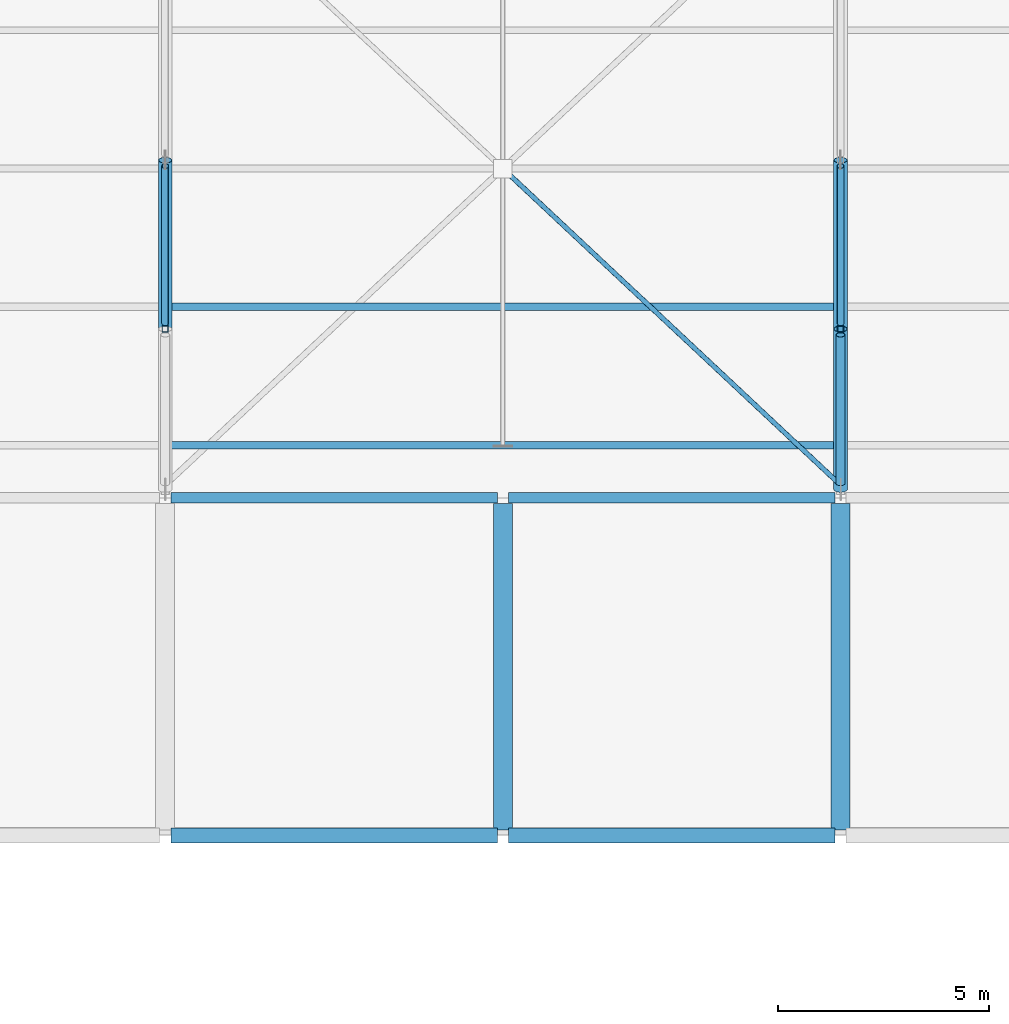
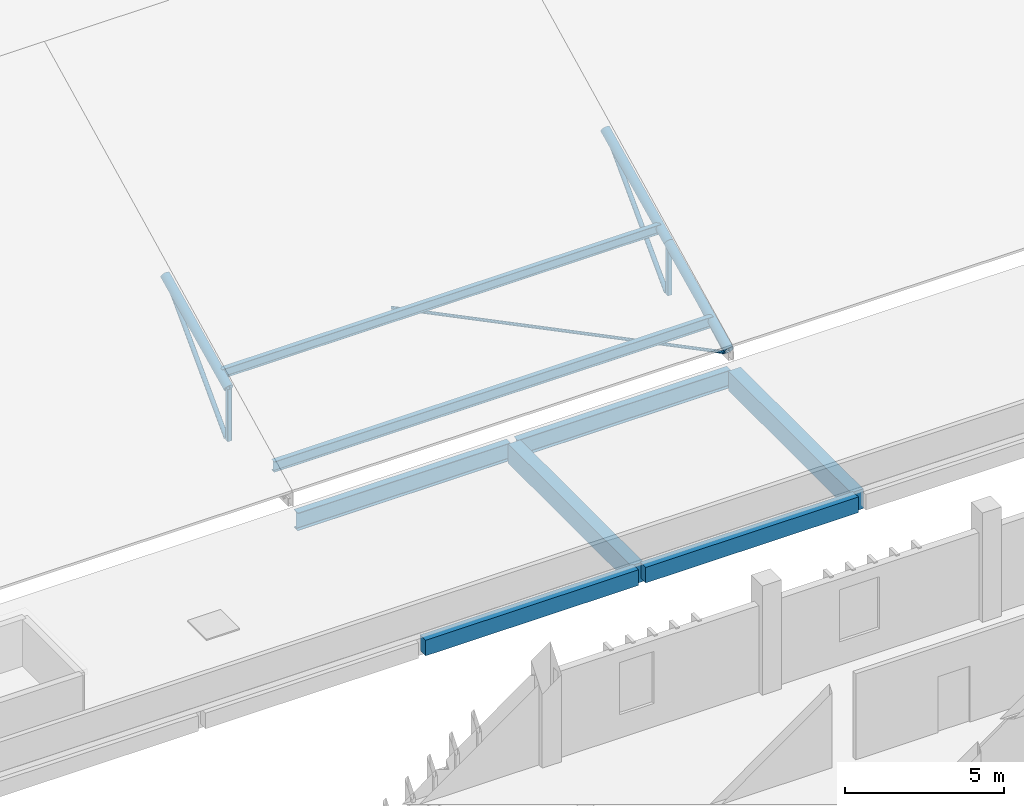
# One storey, part 38 of 137: 9 members, 8 beams.
"""IFC4 building model written with IfcOpenShell, lengths in metres."""

from ifc_helpers import new_model, si_unit, direction, frame, origin, origin_2d, place, context, subcontext, project, spatial, rectangle, hollow_rectangle, hollow_circle, i_section, extrude, material, material_profile, profile_set, type_object, element, save


model = new_model("IFC4")

# Units and contexts
model_context = context("Model", 3, precision=1e-05, world=origin(), true_north=direction((0.0, 1.0)))
body_context = subcontext(model_context, "Body", "Model", "MODEL_VIEW")
ifc_project = project(units=[si_unit("LENGTHUNIT", "METRE"), si_unit("AREAUNIT", "SQUARE_METRE"), si_unit("VOLUMEUNIT", "CUBIC_METRE"), si_unit("PLANEANGLEUNIT", "RADIAN"), si_unit("MASSUNIT", "GRAM", prefix="KILO")], contexts=[model_context])

# Site, building, storey
site_placement = place(None, origin())
site = spatial("IfcSite", under=ifc_project, at=site_placement, CompositionType="ELEMENT")
building_placement = place(site_placement, origin())
building = spatial("IfcBuilding", under=site, at=building_placement, Name="Jelvoka-Kovrelna Polytechnic", CompositionType="ELEMENT")
storey_placement = place(building_placement, frame((0.0, 0.0, 9.60009765625)))
storey = spatial("IfcBuildingStorey", under=building, at=storey_placement, Name="L03", CompositionType="ELEMENT", Elevation=9.60009765625)

# Beams
ifc_material_1 = material(Name="Concrete C40/50", Category="concrete")
ifc_material_profile_1 = material_profile(ifc_material_1, rectangle(XDim=0.449951171875, YDim=0.75, at=origin_2d()), Name="RC 450x750")
ifc_profile_set_1 = profile_set([ifc_material_profile_1], Name="Concrete C40/50")
beam_type_1 = type_object("IfcBeamType", Name="Beam_RC_450x750", PredefinedType="BEAM", material=ifc_profile_set_1)
for number, where, z_axis, x_axis, name in (
    (1, (128.0, 80.1337890625, -0.585205078125), (0.0, 1.0, 0.0), (-1.0, 0.0, 0.0), "L03 beam 2091"),
    (2, (136.0, 80.1337890625, -0.585205078125), (0.0, 1.0, 0.0), (-1.0, 0.0, 0.0), "L03 beam 2092"),
):
    element("IfcBeam", number, at=place(storey_placement, frame(where, z_axis=z_axis, x_axis=x_axis)), inside=storey, type_object=beam_type_1, Name=name, PredefinedType="BEAM", context=body_context, shape_type="SweptSolid", body=[
        extrude(rectangle(XDim=0.449951171875, YDim=0.75, at=origin_2d()), origin(), (0.0, 0.0, 1.0), 7.732421875),
    ])
ifc_material_2 = material(Name="Structural steel S355JR", Category="steel")
ifc_material_profile_2 = material_profile(ifc_material_2, i_section(OverallWidth=0.2529296875, OverallDepth=0.677978515625, WebThickness=0.01171875, FlangeThickness=0.01611328125, FilletRadius=0.01513671875, at=origin_2d()), Name="686x254x125 UB")
ifc_profile_set_2 = profile_set([ifc_material_profile_2], Name="Structural steel S355JR")
beam_type_2 = type_object("IfcBeamType", Name="Girder_Steel_UB686", PredefinedType="BEAM", material=ifc_profile_set_2)
beam_1_placement = place(storey_placement, frame((120.132568359375, 88.0, -0.549072265625), z_axis=(1.0, 0.0, 0.0), x_axis=(0.0, 1.0, 0.0)))
element("IfcBeam", 3, at=beam_1_placement, inside=storey, type_object=beam_type_2, Name="L03 beam 0097", PredefinedType="BEAM", context=body_context, shape_type="SweptSolid", body=[
    extrude(i_section(OverallWidth=0.2529296875, OverallDepth=0.677978515625, WebThickness=0.01171875, FlangeThickness=0.01611328125, FilletRadius=0.01513671875, at=origin_2d()), origin(), (0.0, 0.0, 1.0), 7.73486328125),
])
beam_2_placement = place(storey_placement, frame((128.1328125, 88.0, -0.549072265625), z_axis=(1.0, 0.0, 0.0), x_axis=(0.0, 1.0, 0.0)))
element("IfcBeam", 4, at=beam_2_placement, inside=storey, type_object=beam_type_2, Name="L03 beam 0099", PredefinedType="BEAM", context=body_context, shape_type="SweptSolid", body=[
    extrude(i_section(OverallWidth=0.2529296875, OverallDepth=0.677978515625, WebThickness=0.01171875, FlangeThickness=0.01611328125, FilletRadius=0.01513671875, at=origin_2d()), origin(), (0.0, 0.0, 1.0), 7.734375),
])

# Members
ifc_material_3 = material(Name="Structural steel S355J2H", Category="steel")
ifc_material_profile_3 = material_profile(ifc_material_3, hollow_circle(Radius=0.05712890625, WallThickness=0.00634765625, at=origin_2d()), Name="114.3x6.3 CHS")
ifc_profile_set_3 = profile_set([ifc_material_profile_3], Name="Structural steel S355J2H")
member_type_1 = type_object("IfcMemberType", Name="Member_Brace_CHS114", PredefinedType="BRACE", material=ifc_profile_set_3)
member_1_placement = place(storey_placement, frame((128.065673828125, 95.738525390625, 0.14990234375), z_axis=(0.729679522085, -0.683789291412, 0.0), x_axis=(0.683789291412, 0.729679522085, 0.0)))
element("IfcMember", 5, at=member_1_placement, inside=storey, type_object=member_type_1, Name="Sawtooth roof split X-brace half-diagonal 0211B", PredefinedType="BRACE", context=body_context, shape_type="SweptSolid", body=[
    extrude(hollow_circle(Radius=0.05712890625, WallThickness=0.00634765625, at=origin_2d()), origin(), (0.0, 0.0, 1.0), 10.80517578125),
])
ifc_material_4 = material(Name="Structural steel S355J2H", Category="steel")
ifc_material_profile_4 = material_profile(ifc_material_4, hollow_circle(Radius=0.084228515625, WallThickness=0.008056640625, at=origin_2d()), Name="168.3x8.0 CHS")
ifc_profile_set_4 = profile_set([ifc_material_profile_4], Name="Structural steel S355J2H")
member_type_2 = type_object("IfcMemberType", Name="Member_Brace_CHS168", PredefinedType="BRACE", material=ifc_profile_set_4)
for number, where, z_axis, x_axis, name in (
    (6, (120.0, 92.139892578125, 0.14990234375), (0.0, 0.69521468222, 0.718802160282), (-1.0, 0.0, 0.0), "Sawtooth truss 3 diagonal web 1.2"),
    (7, (136.0, 92.139892578125, 0.14990234375), (0.0, 0.69521468222, 0.718802160282), (-1.0, 0.0, 0.0), "Sawtooth truss 4 diagonal web 1.2"),
):
    element("IfcMember", number, at=place(storey_placement, frame(where, z_axis=z_axis, x_axis=x_axis)), inside=storey, type_object=member_type_2, Name=name, PredefinedType="BRACE", context=body_context, shape_type="SweptSolid", body=[
        extrude(hollow_circle(Radius=0.084228515625, WallThickness=0.008056640625, at=origin_2d()), origin(), (0.0, 0.0, 1.0), 5.35107421875),
    ])
ifc_material_5 = material(Name="Structural steel S355J2H", Category="steel")
ifc_material_profile_5 = material_profile(ifc_material_5, hollow_circle(Radius=0.109619140625, WallThickness=0.008056640625, at=origin_2d()), Name="219.1x8.0 CHS")
ifc_profile_set_5 = profile_set([ifc_material_profile_5], Name="Structural steel S355J2H")
member_type_3 = type_object("IfcMemberType", Name="Member_Brace_CHS219", PredefinedType="BRACE", material=ifc_profile_set_5)
member_2_placement = place(storey_placement, frame((136.0, 88.340087890625, 0.14990234375), z_axis=(0.0, 0.878084029324, 0.478506465418), x_axis=(-1.0, 0.0, 0.0)))
element("IfcMember", 8, at=member_2_placement, inside=storey, type_object=member_type_3, Name="Sawtooth truss 4 diagonal web 1.1", PredefinedType="BRACE", context=body_context, shape_type="SweptSolid", body=[
    extrude(hollow_circle(Radius=0.109619140625, WallThickness=0.008056640625, at=origin_2d()), origin(), (0.0, 0.0, 1.0), 4.0087890625),
])
ifc_material_6 = material(Name="Structural steel S355J2H", Category="steel")
ifc_material_profile_6 = material_profile(ifc_material_6, hollow_circle(Radius=0.161865234375, WallThickness=0.010009765625, at=origin_2d()), Name="323.9x10.0 CHS")
ifc_profile_set_6 = profile_set([ifc_material_profile_6], Name="Structural steel S355J2H")
member_type_4 = type_object("IfcMemberType", Name="Member_Chord_CHS324", PredefinedType="CHORD", material=ifc_profile_set_6)
member_3_placement = place(storey_placement, frame((120.0, 92.0, 2.148193359375), z_axis=(0.0, 0.900799405566, 0.434235455637), x_axis=(-1.0, 0.0, 0.0)))
element("IfcMember", 9, at=member_3_placement, inside=storey, type_object=member_type_4, Name="Sawtooth truss 3 top chord 1.2", PredefinedType="CHORD", context=body_context, shape_type="SweptSolid", body=[
    extrude(hollow_circle(Radius=0.161865234375, WallThickness=0.010009765625, at=origin_2d()), origin(), (0.0, 0.0, 1.0), 4.4404296875),
])
member_4_placement = place(storey_placement, frame((136.0, 88.199951171875, 0.31640625), z_axis=(0.0, 0.900803851837, 0.434226231952), x_axis=(-1.0, 0.0, 0.0)))
element("IfcMember", 10, at=member_4_placement, inside=storey, type_object=member_type_4, Name="Sawtooth truss 4 top chord 1.1", PredefinedType="CHORD", context=body_context, shape_type="SweptSolid", body=[
    extrude(hollow_circle(Radius=0.161865234375, WallThickness=0.010009765625, at=origin_2d()), origin(), (0.0, 0.0, 1.0), 4.218505859375),
])
member_5_placement = place(storey_placement, frame((136.0, 92.0, 2.148193359375), z_axis=(0.0, 0.900799405566, 0.434235455637), x_axis=(-1.0, 0.0, 0.0)))
element("IfcMember", 11, at=member_5_placement, inside=storey, type_object=member_type_4, Name="Sawtooth truss 4 top chord 1.2", PredefinedType="CHORD", context=body_context, shape_type="SweptSolid", body=[
    extrude(hollow_circle(Radius=0.161865234375, WallThickness=0.010009765625, at=origin_2d()), origin(), (0.0, 0.0, 1.0), 4.4404296875),
])
ifc_material_7 = material(Name="Structural steel S355J2H", Category="steel")
ifc_material_profile_7 = material_profile(ifc_material_7, hollow_rectangle(XDim=0.14990234375, YDim=0.14990234375, WallThickness=0.008056640625, InnerFilletRadius=0.008056640625, OuterFilletRadius=0.011962890625, at=origin_2d()), Name="150x150x8.0 SHS")
ifc_profile_set_7 = profile_set([ifc_material_profile_7], Name="Structural steel S355J2H")
member_type_5 = type_object("IfcMemberType", Name="Member_Post_SHS150", PredefinedType="POST", material=ifc_profile_set_7)
for number, where, z_axis, x_axis, name in (
    (12, (120.0, 92.0, 0.14990234375), (0.0, 0.0, 1.0), (1.0, 0.0, 0.0), "Sawtooth truss 3 web post 1.2"),
    (13, (136.0, 92.0, 0.14990234375), (0.0, 0.0, 1.0), (1.0, 0.0, 0.0), "Sawtooth truss 4 web post 1.2"),
):
    element("IfcMember", number, at=place(storey_placement, frame(where, z_axis=z_axis, x_axis=x_axis)), inside=storey, type_object=member_type_5, Name=name, PredefinedType="POST", context=body_context, shape_type="SweptSolid", body=[
        extrude(hollow_rectangle(XDim=0.14990234375, YDim=0.14990234375, WallThickness=0.008056640625, InnerFilletRadius=0.008056640625, OuterFilletRadius=0.011962890625, at=origin_2d()), origin(), (0.0, 0.0, 1.0), 1.998291015625),
    ])

# Beams
ifc_material_8 = material(Name="Structural steel S355JR", Category="steel")
ifc_material_profile_8 = material_profile(ifc_material_8, i_section(OverallWidth=0.17138671875, OverallDepth=0.35498046875, WebThickness=0.00732421875, FlangeThickness=0.011474609375, FilletRadius=0.01025390625, at=origin_2d()), Name="356x171x51 UB")
ifc_profile_set_8 = profile_set([ifc_material_profile_8], Name="Structural steel S355JR")
beam_type_3 = type_object("IfcBeamType", Name="Purlin_Steel_UB356", PredefinedType="JOIST", material=ifc_profile_set_8)
beam_3_placement = place(storey_placement, frame((120.02001953125, 92.52392578125, 2.400634765625), z_axis=(1.0, 0.0, 0.0), x_axis=(0.0, 1.0, 0.0)))
element("IfcBeam", 14, at=beam_3_placement, inside=storey, type_object=beam_type_3, Name="Sawtooth roof purlin 022", PredefinedType="JOIST", context=body_context, shape_type="SweptSolid", body=[
    extrude(i_section(OverallWidth=0.17138671875, OverallDepth=0.35498046875, WebThickness=0.00732421875, FlangeThickness=0.011474609375, FilletRadius=0.01025390625, at=origin_2d()), origin(), (0.0, 0.0, 1.0), 15.9599609375),
])
ifc_material_9 = material(Name="Structural steel S355JR", Category="steel")
ifc_material_profile_9 = material_profile(ifc_material_9, i_section(OverallWidth=0.177978515625, OverallDepth=0.406494140625, WebThickness=0.0078125, FlangeThickness=0.0126953125, FilletRadius=0.01025390625, at=origin_2d()), Name="406x178x60 UB")
ifc_profile_set_9 = profile_set([ifc_material_profile_9], Name="Structural steel S355JR")
beam_type_4 = type_object("IfcBeamType", Name="Purlin_Steel_UB406", PredefinedType="JOIST", material=ifc_profile_set_9)
beam_4_placement = place(storey_placement, frame((120.02001953125, 89.248046875, 0.821533203125), z_axis=(1.0, 0.0, 0.0), x_axis=(0.0, 1.0, 0.0)))
element("IfcBeam", 15, at=beam_4_placement, inside=storey, type_object=beam_type_4, Name="Sawtooth roof purlin 021", PredefinedType="JOIST", context=body_context, shape_type="SweptSolid", body=[
    extrude(i_section(OverallWidth=0.177978515625, OverallDepth=0.406494140625, WebThickness=0.0078125, FlangeThickness=0.0126953125, FilletRadius=0.01025390625, at=origin_2d()), origin(), (0.0, 0.0, 1.0), 15.9599609375),
])
ifc_material_10 = material(Name="Concrete C40/50", Category="concrete")
ifc_material_profile_10 = material_profile(ifc_material_10, rectangle(XDim=0.35009765625, YDim=0.60009765625, at=origin_2d()), Name="RC 350x600")
ifc_profile_set_10 = profile_set([ifc_material_profile_10], Name="Concrete C40/50")
beam_type_5 = type_object("IfcBeamType", Name="Spandrel_RC_350x600", PredefinedType="SPANDREL", material=ifc_profile_set_10)
beam_5_placement = place(storey_placement, frame((120.132568359375, 80.0, -0.510009765625), z_axis=(1.0, 0.0, 0.0), x_axis=(0.0, 1.0, 0.0)))
element("IfcBeam", 16, at=beam_5_placement, inside=storey, type_object=beam_type_5, Name="L03 beam 2076", PredefinedType="SPANDREL", context=body_context, shape_type="SweptSolid", body=[
    extrude(rectangle(XDim=0.35009765625, YDim=0.60009765625, at=origin_2d()), origin(), (0.0, 0.0, 1.0), 7.73486328125),
])
beam_6_placement = place(storey_placement, frame((128.1328125, 80.0, -0.510009765625), z_axis=(1.0, 0.0, 0.0), x_axis=(0.0, 1.0, 0.0)))
element("IfcBeam", 17, at=beam_6_placement, inside=storey, type_object=beam_type_5, Name="L03 beam 2077", PredefinedType="SPANDREL", context=body_context, shape_type="SweptSolid", body=[
    extrude(rectangle(XDim=0.35009765625, YDim=0.60009765625, at=origin_2d()), origin(), (0.0, 0.0, 1.0), 7.734375),
])

save(model, "model.ifc")
